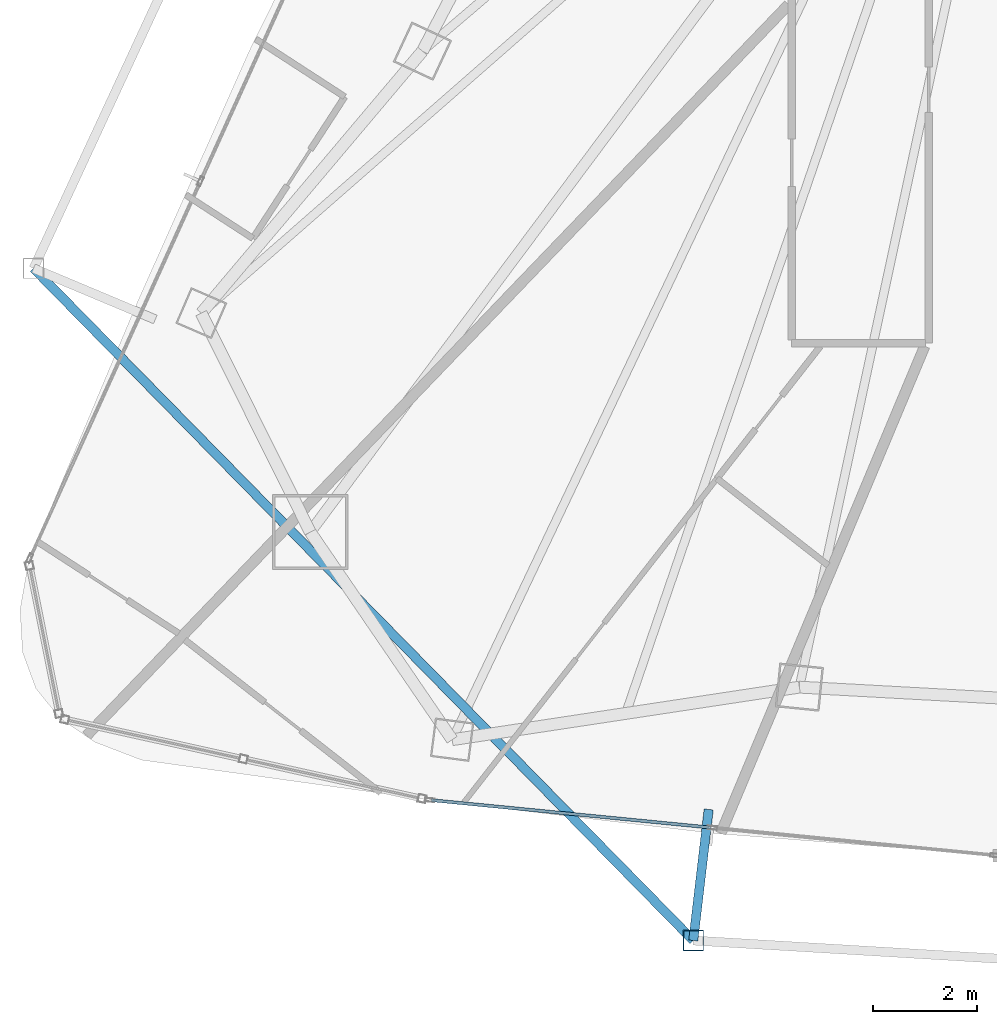
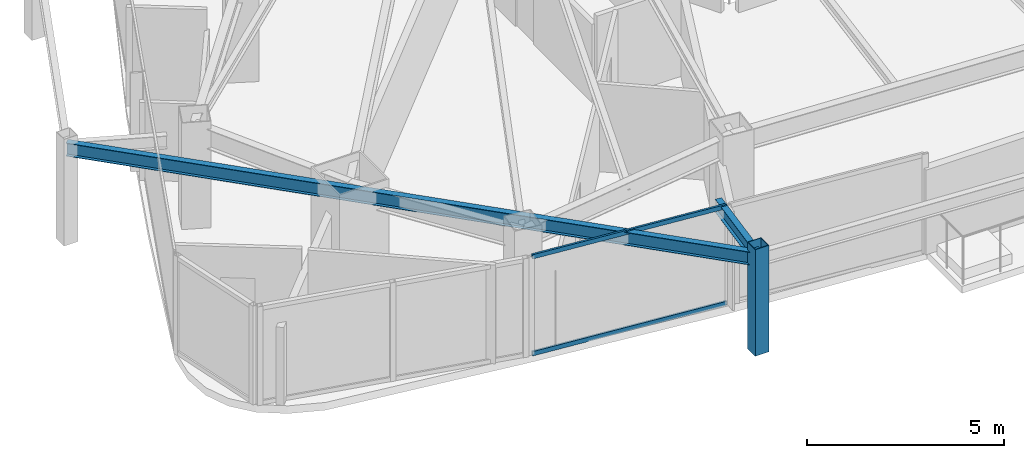
# One storey, part 3 of 30: 3 members, 2 beams, 1 element without a shape of its own.
"""IFC4 building model written with IfcOpenShell, lengths in metres."""

from ifc_helpers import new_model, si_unit, direction, frame, origin, origin_2d, place, context, subcontext, project, spatial, hollow_rectangle, i_section, extrude, material, layer, layer_set, material_profile, profile_set, type_object, element, aggregate, save


model = new_model("IFC4")

# Units and contexts
model_context = context("Model", 3, precision=1e-05, world=origin(), true_north=direction((0.0, 1.0)))
body_context = subcontext(model_context, "Body", "Model", "MODEL_VIEW")
ifc_project = project(units=[si_unit("LENGTHUNIT", "METRE"), si_unit("AREAUNIT", "SQUARE_METRE"), si_unit("VOLUMEUNIT", "CUBIC_METRE"), si_unit("PLANEANGLEUNIT", "RADIAN"), si_unit("MASSUNIT", "GRAM", prefix="KILO")], contexts=[model_context])

# Site, building, storey
site_placement = place(None, origin())
site = spatial("IfcSite", under=ifc_project, at=site_placement, CompositionType="ELEMENT")
building_placement = place(site_placement, origin())
building = spatial("IfcBuilding", under=site, at=building_placement, Name="Orvanel Arch Residences", CompositionType="ELEMENT")
storey_placement = place(building_placement, frame((0.0, 0.0, 180.35009765625)))
storey = spatial("IfcBuildingStorey", under=building, at=storey_placement, Name="L51", CompositionType="ELEMENT", Elevation=180.35009765625)

# Beams
ifc_material_1 = material(Name="Structural steel AS/NZS 3679.1 Grade 300 (300 MPa)", Category="steel")
ifc_material_profile_1 = material_profile(ifc_material_1, i_section(OverallWidth=0.177978515625, OverallDepth=0.406005859375, WebThickness=0.0078125, FlangeThickness=0.0126953125, at=origin_2d()), Name="410UB59.7")
ifc_profile_set_1 = profile_set([ifc_material_profile_1], Name="Structural steel AS/NZS 3679.1 Grade 300 (300 MPa)")
beam_type = type_object("IfcBeamType", Name="OB-410UB-EXT", PredefinedType="SPANDREL", material=ifc_profile_set_1)
beam_1_placement = place(storey_placement, frame((8.85400390625, 15.445068359375, 2.85693359375), z_axis=(0.700481005601, -0.713671045225, 0.0), x_axis=(0.713671045225, 0.700481005601, 0.0)))
element("IfcBeam", 1, at=beam_1_placement, inside=storey, type_object=beam_type, Name="L51 Outer Perimeter Floor Ring Beam 04", PredefinedType="SPANDREL", context=body_context, shape_type="SweptSolid", body=[
    extrude(i_section(OverallWidth=0.177978515625, OverallDepth=0.406005859375, WebThickness=0.0078125, FlangeThickness=0.0126953125, at=origin_2d()), origin(), (0.0, 0.0, 1.0), 18.19482421875),
])
beam_2_placement = place(storey_placement, frame((21.89697265625, 4.991943359375, 2.85693359375), z_axis=(-0.116830135199, -0.993151911597, 0.0), x_axis=(0.993151911597, -0.116830135199, 0.0)))
element("IfcBeam", 2, at=beam_2_placement, inside=storey, type_object=beam_type, Name="L51 Outer Frame Radial Tie Beam 05", PredefinedType="SPANDREL", context=body_context, shape_type="SweptSolid", body=[
    extrude(i_section(OverallWidth=0.177978515625, OverallDepth=0.406005859375, WebThickness=0.0078125, FlangeThickness=0.0126953125, at=origin_2d()), origin(), (0.0, 0.0, 1.0), 2.549560546875),
])

# Member
ifc_material_2 = material(Name="Structural steel AS/NZS 1163 C450L0 (Grade 450)", Category="steel")
ifc_material_profile_2 = material_profile(ifc_material_2, hollow_rectangle(XDim=0.39990234375, YDim=0.39990234375, WallThickness=0.01611328125, at=origin_2d()), Name="SHS400x400x16")
ifc_profile_set_2 = profile_set([ifc_material_profile_2], Name="Structural steel AS/NZS 1163 C450L0 (Grade 450)")
member_type_1 = type_object("IfcMemberType", Name="ST-400SHS-EXT", PredefinedType="STRUT", material=ifc_profile_set_2)
member_1_placement = place(storey_placement, frame((21.59912109375, 2.4599609375, 0.0), z_axis=(0.0, 0.0, 1.0), x_axis=(1.0, 0.0, 0.0)))
element("IfcMember", 3, at=member_1_placement, inside=storey, type_object=member_type_1, Name="L51 Outer Perimeter Frame Post 05", PredefinedType="STRUT", context=body_context, shape_type="SweptSolid", body=[
    extrude(hollow_rectangle(XDim=0.39990234375, YDim=0.39990234375, WallThickness=0.01611328125, at=origin_2d()), origin(), (0.0, 0.0, 1.0), 3.2998046875),
])

# Curtain wall, members
ifc_material_3 = material(Name="Bronze-anodised aluminium AA6063-T6", Category="aluminium")
ifc_layer = layer(ifc_material_3, 0.179931640625)
ifc_layer_set = layer_set([ifc_layer], Name="Bronze-anodised aluminium AA6063-T6")
curtain_wall_type = type_object("IfcCurtainWallType", Name="CW3-MID-SYS", PredefinedType="NOTDEFINED", material=ifc_layer_set)
curtain_wall_placement = place(storey_placement, origin())
curtain_wall = element("IfcCurtainWall", 4, at=curtain_wall_placement, inside=storey, type_object=curtain_wall_type, Name="L51 CW3-MID-SYS Unitised Curtain Wall", PredefinedType="NOTDEFINED")
ifc_material_profile_3 = material_profile(ifc_material_3, hollow_rectangle(XDim=0.06005859375, YDim=0.135009765625, WallThickness=0.00390625, at=origin_2d()), Name="ALU135x60x4")
ifc_profile_set_3 = profile_set([ifc_material_profile_3], Name="Bronze-anodised aluminium AA6063-T6")
member_type_2 = type_object("IfcMemberType", Name="TRN-135x60", PredefinedType="USERDEFINED", material=ifc_profile_set_3)
member_2_placement = place(storey_placement, frame((16.542724609375, 5.171142578125, 0.02978515625), z_axis=(0.995214526724, -0.097714102348, 0.0), x_axis=(0.097714102348, 0.995214526724, 0.0)))
member_2 = element("IfcMember", 5, at=member_2_placement, type_object=member_type_2, Name="CW-S3 transom 1.1", ObjectType="TRANSOM", PredefinedType="USERDEFINED", context=body_context, shape_type="SweptSolid", body=[
    extrude(hollow_rectangle(XDim=0.06005859375, YDim=0.135009765625, WallThickness=0.00390625, at=origin_2d()), origin(), (0.0, 0.0, 1.0), 5.416748046875),
])
member_3_placement = place(storey_placement, frame((16.542724609375, 5.171142578125, 3.02978515625), z_axis=(0.995214526724, -0.097714102348, 0.0), x_axis=(0.097714102348, 0.995214526724, 0.0)))
member_3 = element("IfcMember", 6, at=member_3_placement, type_object=member_type_2, Name="CW-S3 transom 1.2", ObjectType="TRANSOM", PredefinedType="USERDEFINED", context=body_context, shape_type="SweptSolid", body=[
    extrude(hollow_rectangle(XDim=0.06005859375, YDim=0.135009765625, WallThickness=0.00390625, at=origin_2d()), origin(), (0.0, 0.0, 1.0), 5.416748046875),
])
aggregate(curtain_wall, [member_2, member_3])

save(model, "model.ifc")
